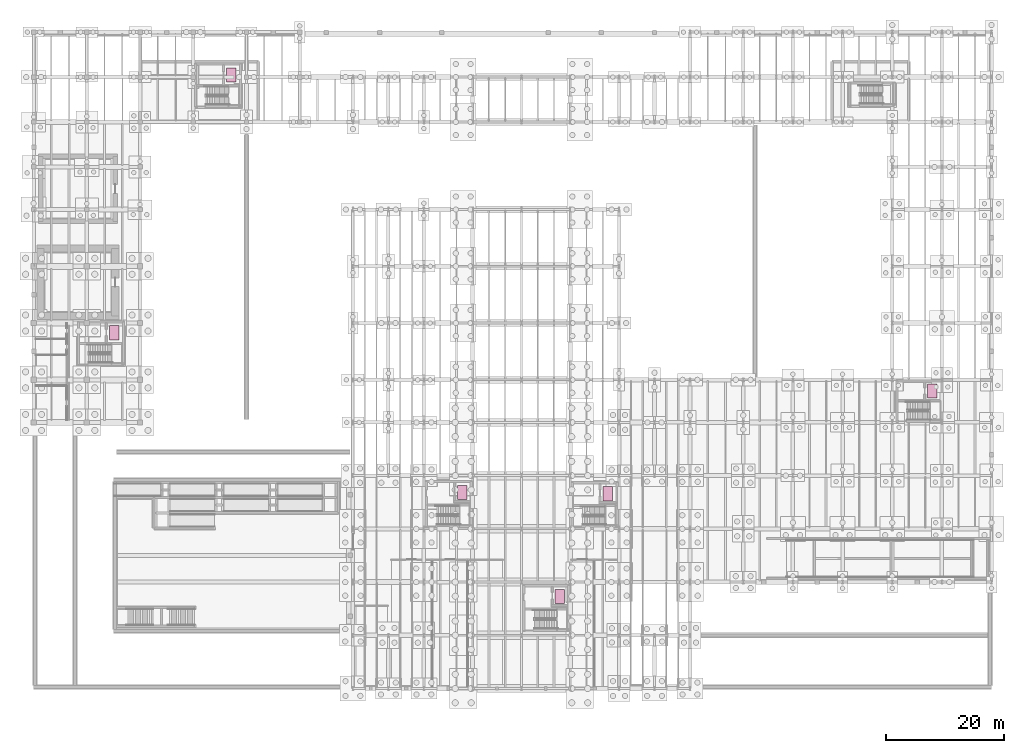
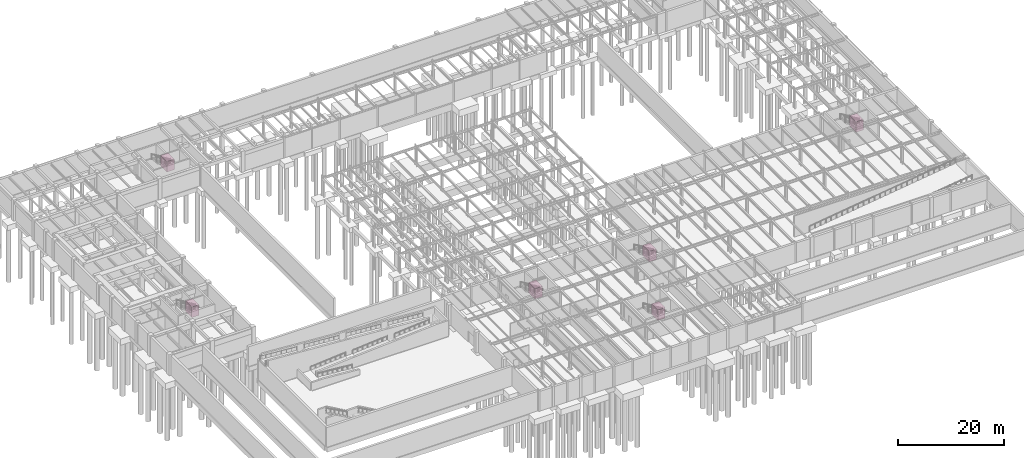
# One storey, part 59 of 59: 6 transport elements.
"""IFC4 building model written with IfcOpenShell, lengths in metres."""

from ifc_helpers import new_model, si_unit, direction, frame, origin, origin_2d, place, context, subcontext, project, spatial, rectangle, extrude, material, type_object, element, save


model = new_model("IFC4")

# Units and contexts
model_context = context("Model", 3, precision=1e-05, world=origin(), true_north=direction((0.0, 1.0)))
body_context = subcontext(model_context, "Body", "Model", "MODEL_VIEW")
ifc_project = project(units=[si_unit("LENGTHUNIT", "METRE"), si_unit("AREAUNIT", "SQUARE_METRE"), si_unit("VOLUMEUNIT", "CUBIC_METRE"), si_unit("PLANEANGLEUNIT", "RADIAN"), si_unit("MASSUNIT", "GRAM", prefix="KILO")], contexts=[model_context])

# Site, building, storey
site_placement = place(None, origin())
site = spatial("IfcSite", under=ifc_project, at=site_placement, CompositionType="ELEMENT")
building_placement = place(site_placement, origin())
building = spatial("IfcBuilding", under=site, at=building_placement, Name="Montealbar Specialist Clinic", CompositionType="ELEMENT")
storey_placement = place(building_placement, frame((0.0, 0.0, -4.800048828125)))
storey = spatial("IfcBuildingStorey", under=building, at=storey_placement, Name="B01", CompositionType="ELEMENT", Elevation=-4.800048828125)

# Transport elements
ifc_material = material(Name="Stainless steel", Category="steel")
transport_element_type_1 = type_object("IfcTransportElementType", Name="LIFT-TYPE-FL-01", PredefinedType="ELEVATOR", material=ifc_material)
transport_element_1_placement = place(storey_placement, frame((72.449951171875, 33.14990234375, 0.0), z_axis=(0.0, 0.0, 1.0), x_axis=(1.0, 0.0, 0.0)))
element("IfcTransportElement", 1, at=transport_element_1_placement, inside=storey, type_object=transport_element_type_1, Name="Firefighting Lift FL-01", PredefinedType="ELEVATOR", context=body_context, shape_type="SweptSolid", body=[
    extrude(rectangle(XDim=1.60009765625, YDim=2.39990234375, at=origin_2d()), origin(), (0.0, 0.0, 1.0), 2.39990234375),
])
transport_element_type_2 = type_object("IfcTransportElementType", Name="LIFT-TYPE-FL-02", PredefinedType="ELEVATOR", material=ifc_material)
transport_element_2_placement = place(storey_placement, frame((88.949951171875, 15.550048828125, 0.0), z_axis=(0.0, 0.0, 1.0), x_axis=(1.0, 0.0, 0.0)))
element("IfcTransportElement", 2, at=transport_element_2_placement, inside=storey, type_object=transport_element_type_2, Name="Firefighting Lift FL-02", PredefinedType="ELEVATOR", context=body_context, shape_type="SweptSolid", body=[
    extrude(rectangle(XDim=1.60009765625, YDim=2.39990234375, at=origin_2d()), origin(), (0.0, 0.0, 1.0), 2.39990234375),
])
transport_element_type_3 = type_object("IfcTransportElementType", Name="LIFT-TYPE-LF-01", PredefinedType="ELEVATOR", material=ifc_material)
transport_element_3_placement = place(storey_placement, frame((13.60009765625, 60.14990234375, 0.0), z_axis=(0.0, 0.0, 1.0), x_axis=(1.0, 0.0, 0.0)))
element("IfcTransportElement", 3, at=transport_element_3_placement, inside=storey, type_object=transport_element_type_3, Name="Clinical Stretcher Lift LF-01", PredefinedType="ELEVATOR", context=body_context, shape_type="SweptSolid", body=[
    extrude(rectangle(XDim=1.60009765625, YDim=2.39990234375, at=origin_2d()), origin(), (0.0, 0.0, 1.0), 2.39990234375),
])
transport_element_type_4 = type_object("IfcTransportElementType", Name="LIFT-TYPE-LF-02", PredefinedType="ELEVATOR", material=ifc_material)
transport_element_4_placement = place(storey_placement, frame((33.39990234375, 103.75, 0.0), z_axis=(0.0, 0.0, 1.0), x_axis=(1.0, 0.0, 0.0)))
element("IfcTransportElement", 4, at=transport_element_4_placement, inside=storey, type_object=transport_element_type_4, Name="Clinical Stretcher Lift LF-02", PredefinedType="ELEVATOR", context=body_context, shape_type="SweptSolid", body=[
    extrude(rectangle(XDim=1.60009765625, YDim=2.39990234375, at=origin_2d()), origin(), (0.0, 0.0, 1.0), 2.39990234375),
])
transport_element_type_5 = type_object("IfcTransportElementType", Name="LIFT-TYPE-LF-03", PredefinedType="ELEVATOR", material=ifc_material)
transport_element_5_placement = place(storey_placement, frame((97.10009765625, 32.949951171875, 0.0), z_axis=(0.0, 0.0, 1.0), x_axis=(1.0, 0.0, 0.0)))
element("IfcTransportElement", 5, at=transport_element_5_placement, inside=storey, type_object=transport_element_type_5, Name="Clinical Stretcher Lift LF-03", PredefinedType="ELEVATOR", context=body_context, shape_type="SweptSolid", body=[
    extrude(rectangle(XDim=1.60009765625, YDim=2.39990234375, at=origin_2d()), origin(), (0.0, 0.0, 1.0), 2.39990234375),
])
transport_element_type_6 = type_object("IfcTransportElementType", Name="LIFT-TYPE-LF-04", PredefinedType="ELEVATOR", material=ifc_material)
transport_element_6_placement = place(storey_placement, frame((152.0, 50.300048828125, 0.0), z_axis=(0.0, 0.0, 1.0), x_axis=(1.0, 0.0, 0.0)))
element("IfcTransportElement", 6, at=transport_element_6_placement, inside=storey, type_object=transport_element_type_6, Name="Clinical Stretcher Lift LF-04", PredefinedType="ELEVATOR", context=body_context, shape_type="SweptSolid", body=[
    extrude(rectangle(XDim=1.60009765625, YDim=2.39990234375, at=origin_2d()), origin(), (0.0, 0.0, 1.0), 2.39990234375),
])

save(model, "model.ifc")
